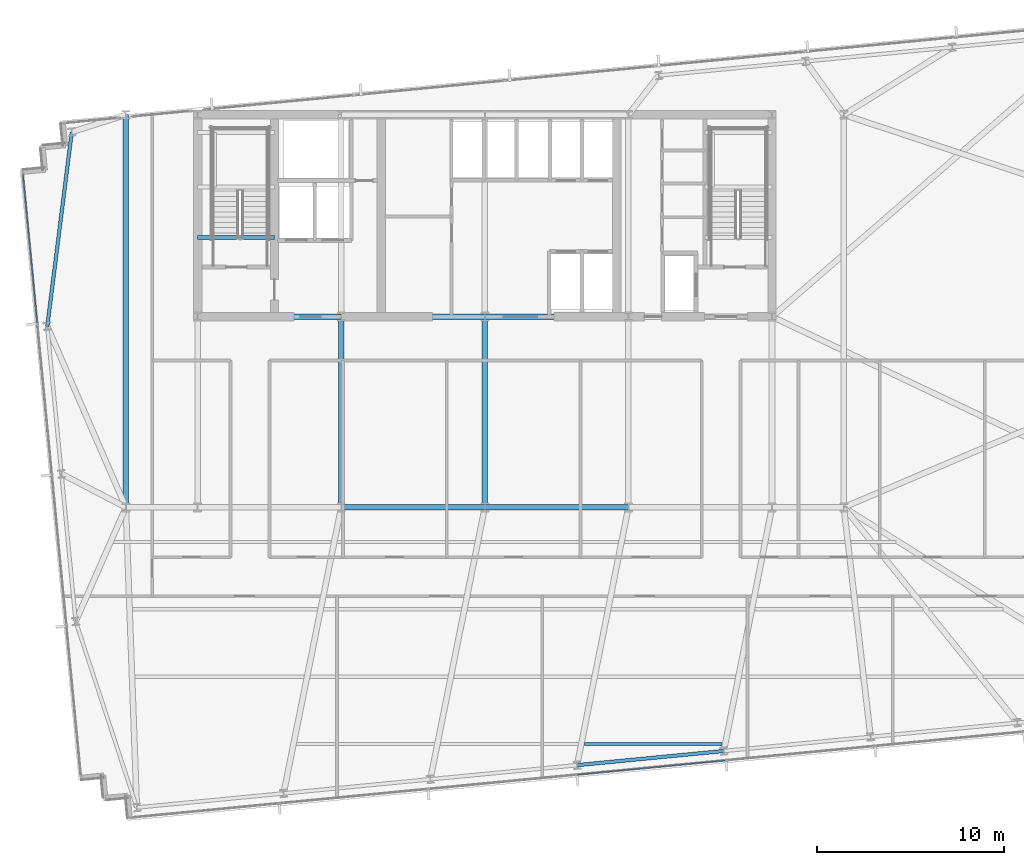
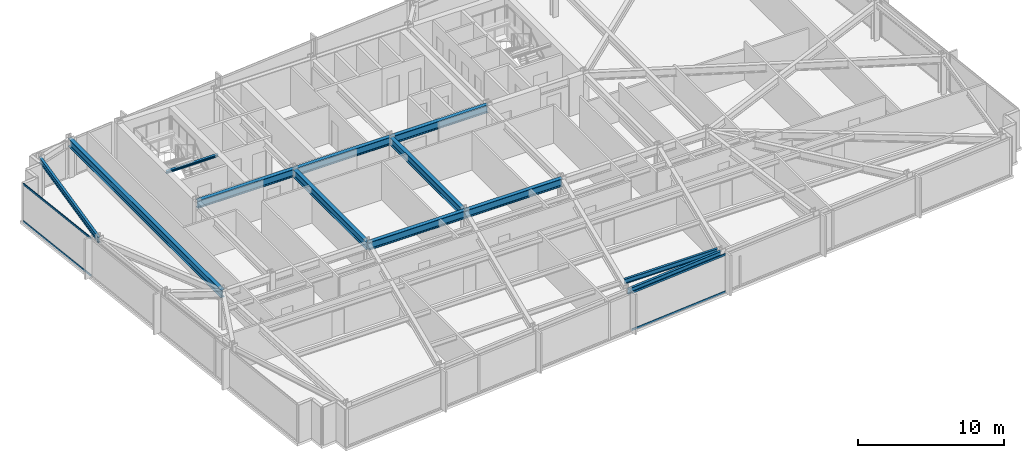
# One storey, part 9 of 33: 12 beams, 4 members, 2 elements without a shape of their own.
"""IFC4 building model written with IfcOpenShell, lengths in metres."""

from ifc_helpers import new_model, si_unit, direction, frame, origin, origin_2d, place, context, subcontext, project, spatial, hollow_rectangle, i_section, extrude, material, material_profile, profile_set, type_object, element, aggregate, save


model = new_model("IFC4")

# Units and contexts
model_context = context("Model", 3, precision=1e-05, world=origin(), true_north=direction((0.0, 1.0)))
body_context = subcontext(model_context, "Body", "Model", "MODEL_VIEW")
ifc_project = project(units=[si_unit("LENGTHUNIT", "METRE"), si_unit("AREAUNIT", "SQUARE_METRE"), si_unit("VOLUMEUNIT", "CUBIC_METRE"), si_unit("PLANEANGLEUNIT", "RADIAN"), si_unit("MASSUNIT", "GRAM", prefix="KILO")], contexts=[model_context])

# Site, building, storey
site_placement = place(None, origin())
site = spatial("IfcSite", under=ifc_project, at=site_placement, CompositionType="ELEMENT")
building_placement = place(site_placement, origin())
building = spatial("IfcBuilding", under=site, at=building_placement, Name="Yelkora Congress Tower", CompositionType="ELEMENT")
storey_placement = place(building_placement, frame((0.0, 0.0, 127.10009765625)))
storey = spatial("IfcBuildingStorey", under=building, at=storey_placement, Name="L34", CompositionType="ELEMENT", Elevation=127.10009765625)

# Beams
ifc_material_1 = material(Name="Steel S355J2", Category="steel")
ifc_material_profile_1 = material_profile(ifc_material_1, i_section(OverallWidth=0.300048828125, OverallDepth=0.64990234375, WebThickness=0.01611328125, FlangeThickness=0.031005859375, FilletRadius=0.027099609375, at=origin_2d()), Name="HEB 650")
ifc_profile_set_1 = profile_set([ifc_material_profile_1], Name="Steel S355J2")
beam_type_1 = type_object("IfcBeamType", Name="BM-GIRD-HEB650", PredefinedType="BEAM", material=ifc_profile_set_1)
beam_1_placement = place(storey_placement, frame((30.719970703125, 25.199951171875, 2.85498046875), z_axis=(1.0, 0.0, 0.0), x_axis=(0.0, 1.0, 0.0)))
element("IfcBeam", 1, at=beam_1_placement, inside=storey, type_object=beam_type_1, Name="L34 Spine Grid D Girder 3", PredefinedType="BEAM", context=body_context, shape_type="SweptSolid", body=[
    extrude(i_section(OverallWidth=0.300048828125, OverallDepth=0.64990234375, WebThickness=0.01611328125, FlangeThickness=0.031005859375, FilletRadius=0.027099609375, at=origin_2d()), origin(), (0.0, 0.0, 1.0), 7.679931640625),
])
beam_2_placement = place(storey_placement, frame((38.39990234375, 25.199951171875, 2.85498046875), z_axis=(1.0, 0.0, 0.0), x_axis=(0.0, 1.0, 0.0)))
element("IfcBeam", 2, at=beam_2_placement, inside=storey, type_object=beam_type_1, Name="L34 Spine Grid D Girder 4", PredefinedType="BEAM", context=body_context, shape_type="SweptSolid", body=[
    extrude(i_section(OverallWidth=0.300048828125, OverallDepth=0.64990234375, WebThickness=0.01611328125, FlangeThickness=0.031005859375, FilletRadius=0.027099609375, at=origin_2d()), origin(), (0.0, 0.0, 1.0), 7.68017578125),
])
for number, where, z_axis, x_axis, name in (
    (3, (23.0400390625, 35.39990234375, 2.85498046875), (1.0, 0.0, 0.0), (0.0, 1.0, 0.0), "L34 Core South Girder 1"),
    (4, (30.719970703125, 35.39990234375, 2.85498046875), (1.0, 0.0, 0.0), (0.0, 1.0, 0.0), "L34 Core South Girder 2"),
):
    element("IfcBeam", number, at=place(storey_placement, frame(where, z_axis=z_axis, x_axis=x_axis)), inside=storey, type_object=beam_type_1, Name=name, PredefinedType="BEAM", context=body_context, shape_type="SweptSolid", body=[
        extrude(i_section(OverallWidth=0.300048828125, OverallDepth=0.64990234375, WebThickness=0.01611328125, FlangeThickness=0.031005859375, FilletRadius=0.027099609375, at=origin_2d()), origin(), (0.0, 0.0, 1.0), 7.679931640625),
    ])
beam_3_placement = place(storey_placement, frame((38.39990234375, 35.39990234375, 2.85498046875), z_axis=(1.0, 0.0, 0.0), x_axis=(0.0, 1.0, 0.0)))
element("IfcBeam", 5, at=beam_3_placement, inside=storey, type_object=beam_type_1, Name="L34 Core South Girder 3", PredefinedType="BEAM", context=body_context, shape_type="SweptSolid", body=[
    extrude(i_section(OverallWidth=0.300048828125, OverallDepth=0.64990234375, WebThickness=0.01611328125, FlangeThickness=0.031005859375, FilletRadius=0.027099609375, at=origin_2d()), origin(), (0.0, 0.0, 1.0), 7.68017578125),
])
for number, where, z_axis, x_axis, name in (
    (6, (30.719970703125, 25.199951171875, 2.85498046875), (0.0, 1.0, 0.0), (-1.0, 0.0, 0.0), "L34 Core Tie Girder MC-D2"),
    (7, (38.39990234375, 25.199951171875, 2.85498046875), (0.0, 1.0, 0.0), (-1.0, 0.0, 0.0), "L34 Core Tie Girder MC-D3"),
):
    element("IfcBeam", number, at=place(storey_placement, frame(where, z_axis=z_axis, x_axis=x_axis)), inside=storey, type_object=beam_type_1, Name=name, PredefinedType="BEAM", context=body_context, shape_type="SweptSolid", body=[
        extrude(i_section(OverallWidth=0.300048828125, OverallDepth=0.64990234375, WebThickness=0.01611328125, FlangeThickness=0.031005859375, FilletRadius=0.027099609375, at=origin_2d()), origin(), (0.0, 0.0, 1.0), 10.199951171875),
    ])
beam_4_placement = place(storey_placement, frame((19.199951171875, 25.199951171875, 2.85498046875), z_axis=(0.0, 1.0, 0.0), x_axis=(-1.0, 0.0, 0.0)))
element("IfcBeam", 8, at=beam_4_placement, inside=storey, type_object=beam_type_1, Name="L34 Neck Flank Girder MC-F1", PredefinedType="BEAM", context=body_context, shape_type="SweptSolid", body=[
    extrude(i_section(OverallWidth=0.300048828125, OverallDepth=0.64990234375, WebThickness=0.01611328125, FlangeThickness=0.031005859375, FilletRadius=0.027099609375, at=origin_2d()), origin(), (0.0, 0.0, 1.0), 21.0),
])
ifc_material_profile_2 = material_profile(ifc_material_1, i_section(OverallWidth=0.179931640625, OverallDepth=0.39990234375, WebThickness=0.008544921875, FlangeThickness=0.013427734375, FilletRadius=0.02099609375, at=origin_2d()), Name="IPE 400")
ifc_profile_set_2 = profile_set([ifc_material_profile_2], Name="Steel S355J2")
beam_type_2 = type_object("IfcBeamType", Name="BM-JOIST-IPE400", PredefinedType="JOIST", material=ifc_profile_set_2)
beam_5_placement = place(storey_placement, frame((43.7197265625, 12.54443359375, 2.97998046875), z_axis=(1.0, 0.0, 0.0), x_axis=(0.0, 1.0, 0.0)))
element("IfcBeam", 9, at=beam_5_placement, inside=storey, type_object=beam_type_2, Name="L34 Composite Floor Joist 3", PredefinedType="JOIST", context=body_context, shape_type="SweptSolid", body=[
    extrude(i_section(OverallWidth=0.179931640625, OverallDepth=0.39990234375, WebThickness=0.008544921875, FlangeThickness=0.013427734375, FilletRadius=0.02099609375, at=origin_2d()), origin(), (0.0, 0.0, 1.0), 7.37841796875),
])
ifc_material_profile_3 = material_profile(ifc_material_1, i_section(OverallWidth=0.199951171875, OverallDepth=0.18994140625, WebThickness=0.006591796875, FlangeThickness=0.010009765625, FilletRadius=0.01806640625, at=origin_2d()), Name="HEA 200")
ifc_profile_set_3 = profile_set([ifc_material_profile_3], Name="Steel S355J2")
beam_type_3 = type_object("IfcBeamType", Name="BM-LAND-HEA200", PredefinedType="BEAM", material=ifc_profile_set_3)
beam_6_placement = place(storey_placement, frame((23.0400390625, 39.639892578125, 2.947265625), z_axis=(1.0, 0.0, 0.0), x_axis=(0.0, 1.0, 0.0)))
element("IfcBeam", 10, at=beam_6_placement, inside=storey, type_object=beam_type_3, Name="ST-01 L34 Floor Arrival Stringer Header Beam", PredefinedType="BEAM", context=body_context, shape_type="SweptSolid", body=[
    extrude(i_section(OverallWidth=0.199951171875, OverallDepth=0.18994140625, WebThickness=0.006591796875, FlangeThickness=0.010009765625, FilletRadius=0.01806640625, at=origin_2d()), origin(), (0.0, 0.0, 1.0), 4.10986328125),
])
ifc_material_profile_4 = material_profile(ifc_material_1, i_section(OverallWidth=0.18994140625, OverallDepth=0.449951171875, WebThickness=0.009521484375, FlangeThickness=0.0146484375, FilletRadius=0.02099609375, at=origin_2d()), Name="IPE 450")
ifc_profile_set_4 = profile_set([ifc_material_profile_4], Name="Steel S355J2")
beam_type_4 = type_object("IfcBeamType", Name="BM-SPAN-IPE450", PredefinedType="SPANDREL", material=ifc_profile_set_4)
beam_7_placement = place(storey_placement, frame((43.334228515625, 11.411865234375, 2.954833984375), z_axis=(0.995398529126, 0.09582154358, 0.0), x_axis=(-0.09582154358, 0.995398529126, 0.0)))
element("IfcBeam", 11, at=beam_7_placement, inside=storey, type_object=beam_type_4, Name="L34 Perimeter Beam 6", PredefinedType="SPANDREL", context=body_context, shape_type="SweptSolid", body=[
    extrude(i_section(OverallWidth=0.18994140625, OverallDepth=0.449951171875, WebThickness=0.009521484375, FlangeThickness=0.0146484375, FilletRadius=0.02099609375, at=origin_2d()), origin(), (0.0, 0.0, 1.0), 7.8857421875),
])
beam_8_placement = place(storey_placement, frame((16.306884765625, 45.27734375, 2.954833984375), z_axis=(-0.124952129665, -0.992162771571, 0.0), x_axis=(0.992162771571, -0.124952129665, 0.0)))
element("IfcBeam", 12, at=beam_8_placement, inside=storey, type_object=beam_type_4, Name="L34 Perimeter Beam 18", PredefinedType="SPANDREL", context=body_context, shape_type="SweptSolid", body=[
    extrude(i_section(OverallWidth=0.18994140625, OverallDepth=0.449951171875, WebThickness=0.009521484375, FlangeThickness=0.0146484375, FilletRadius=0.02099609375, at=origin_2d()), origin(), (0.0, 0.0, 1.0), 10.48046875),
])

# Curtain wall, members
ifc_material_2 = material(Name="Anodised aluminium and insulated glass", Category="aluminium")
curtain_wall_type = type_object("IfcCurtainWallType", Name="CW-SYS-B2", PredefinedType="NOTDEFINED", material=ifc_material_2)
curtain_wall_1_placement = place(storey_placement, origin())
curtain_wall_1 = element("IfcCurtainWall", 13, at=curtain_wall_1_placement, inside=storey, type_object=curtain_wall_type, Name="L34 Unitised Curtain Wall 5", PredefinedType="NOTDEFINED")
ifc_material_3 = material(Name="Anodised aluminium 6063-T6", Category="aluminium")
ifc_material_profile_5 = material_profile(ifc_material_3, hollow_rectangle(XDim=0.06494140625, YDim=0.159912109375, WallThickness=0.00390625, at=origin_2d()), Name="ALU 65x160x4")
ifc_profile_set_5 = profile_set([ifc_material_profile_5], Name="Anodised aluminium 6063-T6")
member_type = type_object("IfcMemberType", Name="MEM-TR-B2", PredefinedType="USERDEFINED", material=ifc_profile_set_5)
member_1_placement = place(storey_placement, frame((14.466796875, 35.06884765625, 0.032470703125), z_axis=(-0.095858482834, 0.995394972495, 0.0), x_axis=(-0.995394972495, -0.095858482834, 0.0)))
member_1 = element("IfcMember", 14, at=member_1_placement, type_object=member_type, Name="CW-B2 transom 4.1", ObjectType="TRANSOM", PredefinedType="USERDEFINED", context=body_context, shape_type="SweptSolid", body=[
    extrude(hollow_rectangle(XDim=0.06494140625, YDim=0.159912109375, WallThickness=0.00390625, at=origin_2d()), origin(), (0.0, 0.0, 1.0), 8.025146484375),
])
member_2_placement = place(storey_placement, frame((14.466796875, 35.06884765625, 3.1474609375), z_axis=(-0.095858482834, 0.995394972495, 0.0), x_axis=(-0.995394972495, -0.095858482834, 0.0)))
member_2 = element("IfcMember", 15, at=member_2_placement, type_object=member_type, Name="CW-B2 transom 4.2", ObjectType="TRANSOM", PredefinedType="USERDEFINED", context=body_context, shape_type="SweptSolid", body=[
    extrude(hollow_rectangle(XDim=0.06494140625, YDim=0.159912109375, WallThickness=0.00390625, at=origin_2d()), origin(), (0.0, 0.0, 1.0), 8.025146484375),
])
aggregate(curtain_wall_1, [member_1, member_2])

curtain_wall_2_placement = place(storey_placement, origin())
curtain_wall_2 = element("IfcCurtainWall", 16, at=curtain_wall_2_placement, inside=storey, type_object=curtain_wall_type, Name="L34 Unitised Curtain Wall 20", PredefinedType="NOTDEFINED")
member_3_placement = place(storey_placement, frame((51.255859375, 11.662353515625, 0.032470703125), z_axis=(-0.995394074338, -0.095867808848, 0.0), x_axis=(0.095867808848, -0.995394074338, 0.0)))
member_3 = element("IfcMember", 17, at=member_3_placement, type_object=member_type, Name="CW-B2 transom 4.1", ObjectType="TRANSOM", PredefinedType="USERDEFINED", context=body_context, shape_type="SweptSolid", body=[
    extrude(hollow_rectangle(XDim=0.06494140625, YDim=0.159912109375, WallThickness=0.00390625, at=origin_2d()), origin(), (0.0, 0.0, 1.0), 7.932861328125),
])
member_4_placement = place(storey_placement, frame((51.255859375, 11.662353515625, 3.1474609375), z_axis=(-0.995394074338, -0.095867808848, 0.0), x_axis=(0.095867808848, -0.995394074338, 0.0)))
member_4 = element("IfcMember", 18, at=member_4_placement, type_object=member_type, Name="CW-B2 transom 4.2", ObjectType="TRANSOM", PredefinedType="USERDEFINED", context=body_context, shape_type="SweptSolid", body=[
    extrude(hollow_rectangle(XDim=0.06494140625, YDim=0.159912109375, WallThickness=0.00390625, at=origin_2d()), origin(), (0.0, 0.0, 1.0), 7.932861328125),
])
aggregate(curtain_wall_2, [member_3, member_4])

save(model, "model.ifc")
